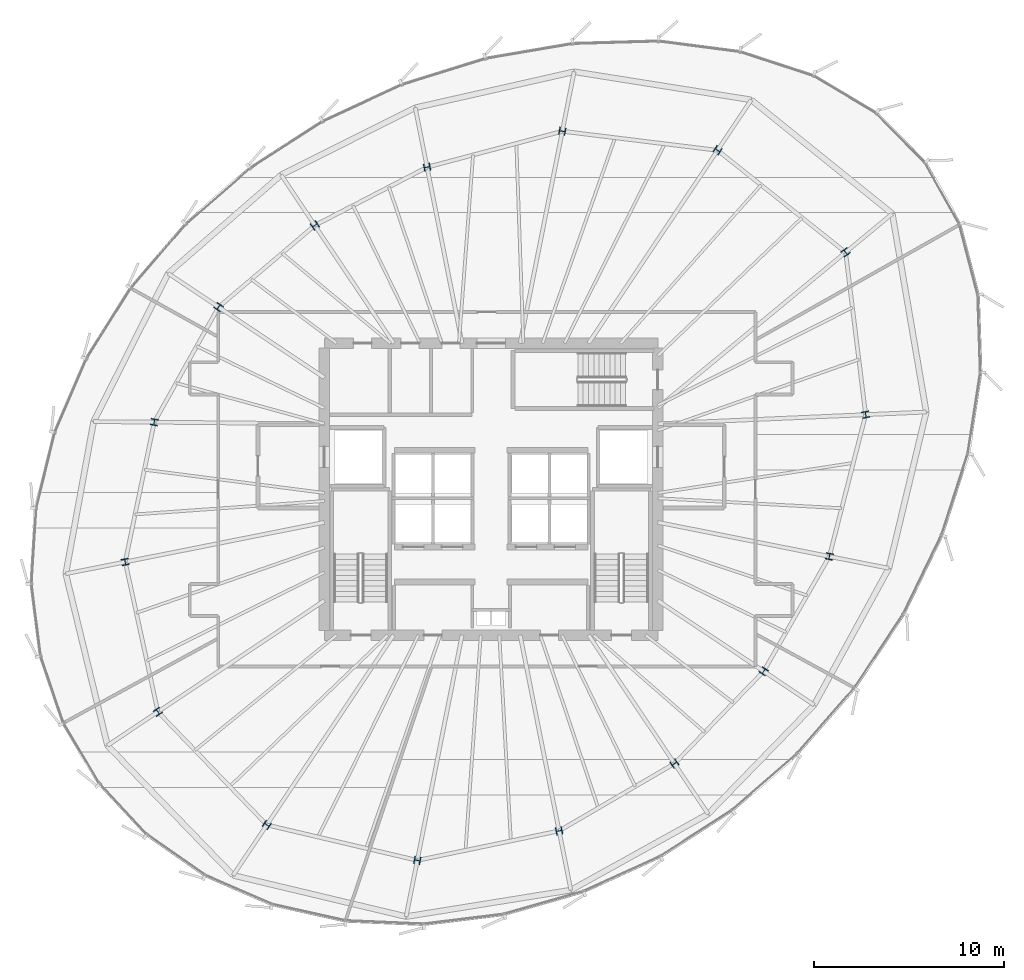
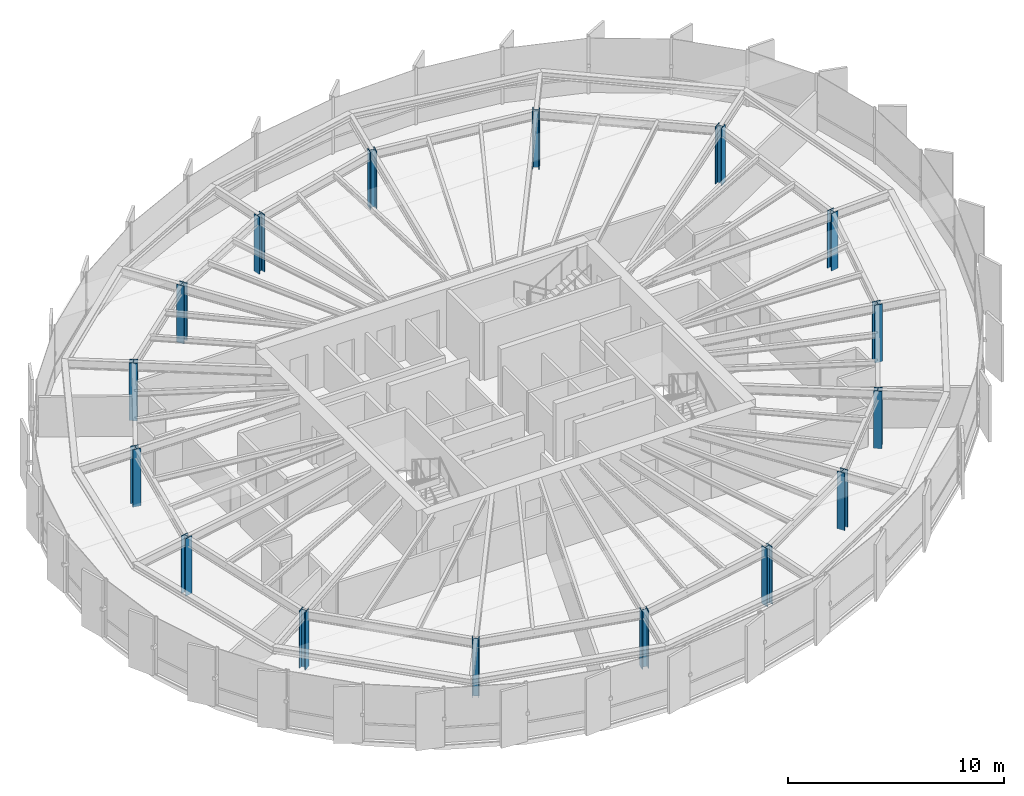
# One storey, part 1 of 34: 16 columns.
"""IFC4 building model written with IfcOpenShell, lengths in metres."""

from ifc_helpers import new_model, si_unit, direction, frame, origin, origin_2d, place, context, subcontext, project, spatial, i_section, extrude, source, transform, mapped, material, material_profile, profile_set, type_object, element, save


model = new_model("IFC4")

# Units and contexts
model_context = context("Model", 3, precision=1e-05, world=origin(), true_north=direction((0.0, 1.0)))
body_context = subcontext(model_context, "Body", "Model", "MODEL_VIEW")
ifc_project = project(units=[si_unit("LENGTHUNIT", "METRE"), si_unit("AREAUNIT", "SQUARE_METRE"), si_unit("VOLUMEUNIT", "CUBIC_METRE"), si_unit("PLANEANGLEUNIT", "RADIAN"), si_unit("MASSUNIT", "GRAM", prefix="KILO"), si_unit("THERMODYNAMICTEMPERATUREUNIT", "KELVIN")], contexts=[model_context])

# Site, building, storey
site_placement = place(None, origin())
site = spatial("IfcSite", under=ifc_project, at=site_placement, CompositionType="ELEMENT")
building_placement = place(site_placement, origin())
building = spatial("IfcBuilding", under=site, at=building_placement, Name="Kethvar Cultural Tower", CompositionType="ELEMENT")
storey_placement = place(building_placement, frame((0.0, 0.0, 183.39990234375)))
storey = spatial("IfcBuildingStorey", under=building, at=storey_placement, Name="L47", CompositionType="ELEMENT", Elevation=183.39990234375)

# Columns
ifc_material = material(Name="Steel S460M", Category="steel")
ifc_material_profile = material_profile(ifc_material, i_section(OverallWidth=0.39111328125, OverallDepth=0.3349609375, WebThickness=0.022705078125, FlangeThickness=0.033935546875, FilletRadius=0.014892578125, at=origin_2d()), Name="Steel S460M — HD400x463")
ifc_profile_set = profile_set([ifc_material_profile], Name="Steel S460M — HD400x463")
column_type = type_object("IfcColumnType", Name="COL-HD463", PredefinedType="COLUMN", material=ifc_profile_set)
shared_shape = source(origin(), body_context, "Body", "SweptSolid", [
    extrude(i_section(OverallWidth=0.39111328125, OverallDepth=0.3349609375, WebThickness=0.022705078125, FlangeThickness=0.033935546875, FilletRadius=0.014892578125, at=origin_2d()), origin(), (0.0, 0.0, 1.0), 3.260009765625),
])
for number, where, z_axis, x_axis, name in (
    (1, (66.56396484375, 31.731201171875, 0.0), (0.0, 0.0, 1.0), (0.980785280403, 0.195090322016, 0.0), "L47 Mega-Column MC-01"),
    (2, (65.504150390625, 40.297607421875, 0.0), (0.0, 0.0, 1.0), (0.831469612303, 0.55557023302, 0.0), "L47 Mega-Column MC-02"),
    (3, (58.748046875, 45.681396484375, 0.0), (0.0, 0.0, 1.0), (0.55557023302, 0.831469612303, 0.0), "L47 Mega-Column MC-03"),
    (4, (50.556884765625, 46.6875, 0.0), (0.0, 0.0, 1.0), (0.195090322016, 0.980785280403, 0.0), "L47 Mega-Column MC-04"),
    (5, (43.420654296875, 44.789306640625, 0.0), (0.0, 0.0, 1.0), (-0.195090322016, 0.980785280403, 0.0), "L47 Mega-Column MC-05"),
    (6, (37.498779296875, 41.720458984375, 0.0), (0.0, 0.0, 1.0), (-0.55557023302, 0.831469612303, 0.0), "L47 Mega-Column MC-06"),
    (7, (32.418212890625, 37.409423828125, 0.0), (0.0, 0.0, 1.0), (-0.831469612303, 0.55557023302, 0.0), "L47 Mega-Column MC-07"),
    (8, (29.02490234375, 31.335693359375, 0.0), (0.0, 0.0, 1.0), (-0.980785280403, 0.195090322016, 0.0), "L47 Mega-Column MC-08"),
    (9, (27.492919921875, 23.959716796875, 0.0), (0.0, 0.0, 1.0), (-0.980785280403, -0.195090322016, 0.0), "L47 Mega-Column MC-09"),
    (10, (29.217529296875, 16.0517578125, 0.0), (0.0, 0.0, 1.0), (-0.831469612303, -0.55557023302, 0.0), "L47 Mega-Column MC-10"),
    (11, (34.962646484375, 10.084228515625, 0.0), (0.0, 0.0, 1.0), (-0.55557023302, -0.831469612303, 0.0), "L47 Mega-Column MC-11"),
    (12, (42.903564453125, 8.2109375, 0.0), (0.0, 0.0, 1.0), (-0.195090322016, -0.980785280403, 0.0), "L47 Mega-Column MC-12"),
    (13, (50.38671875, 9.7685546875, 0.0), (0.0, 0.0, 1.0), (0.195090322016, -0.980785280403, 0.0), "L47 Mega-Column MC-13"),
    (14, (56.474609375, 13.32080078125, 0.0), (0.0, 0.0, 1.0), (0.55557023302, -0.831469612303, 0.0), "L47 Mega-Column MC-14"),
    (15, (61.1826171875, 18.18994140625, 0.0), (0.0, 0.0, 1.0), (0.831469612303, -0.55557023302, 0.0), "L47 Mega-Column MC-15"),
    (16, (64.648681640625, 24.249755859375, 0.0), (0.0, 0.0, 1.0), (0.980785280403, -0.195090322016, 0.0), "L47 Mega-Column MC-16"),
):
    element("IfcColumn", number, at=place(storey_placement, frame(where, z_axis=z_axis, x_axis=x_axis)), inside=storey, type_object=column_type, Name=name, PredefinedType="COLUMN", context=body_context, shape_type="MappedRepresentation", body=[
        mapped(shared_shape, transform((0.0, 0.0, 0.0), scale=1.0)),
    ])

save(model, "model.ifc")
